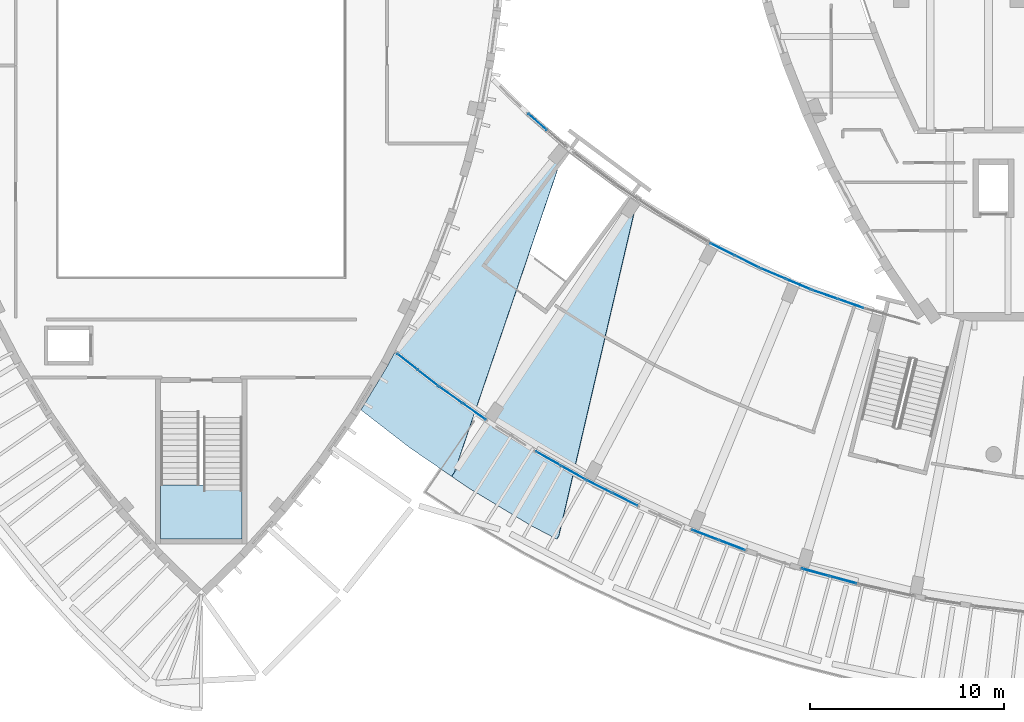
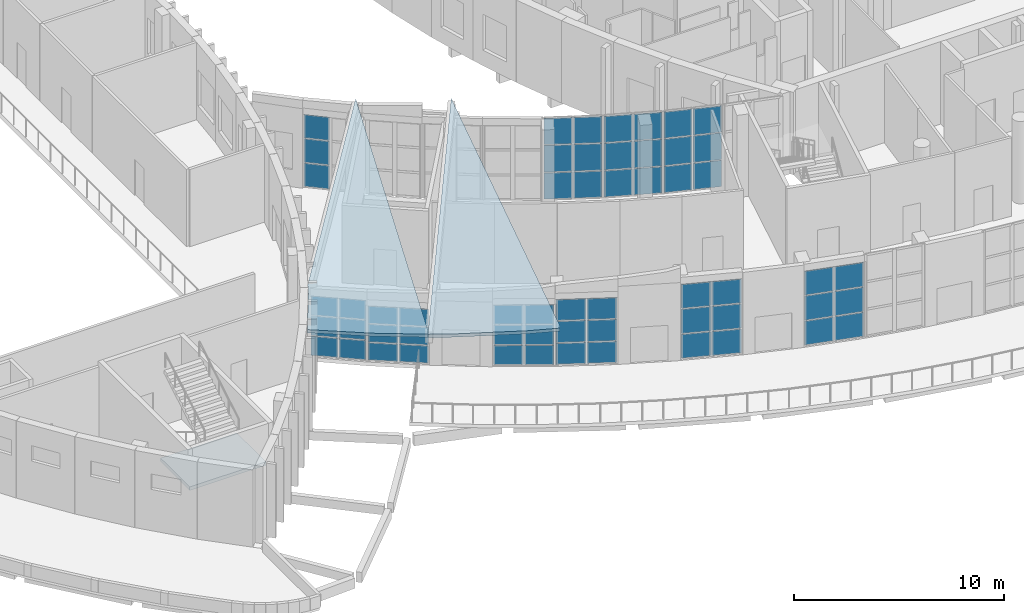
# One storey, part 41 of 93: 57 plates, 3 slabs, 11 elements without a shape of their own.
"""IFC4 building model written with IfcOpenShell, lengths in metres."""

from ifc_helpers import new_model, si_unit, direction, frame, origin, origin_2d, place, context, subcontext, project, spatial, polyline, rectangle, outline, extrude, material, layer, layer_set, type_object, element, aggregate, save


model = new_model("IFC4")

# Units and contexts
model_context = context("Model", 3, precision=1e-05, world=origin(), true_north=direction((0.0, 1.0)))
body_context = subcontext(model_context, "Body", "Model", "MODEL_VIEW")
ifc_project = project(units=[si_unit("LENGTHUNIT", "METRE"), si_unit("AREAUNIT", "SQUARE_METRE"), si_unit("VOLUMEUNIT", "CUBIC_METRE"), si_unit("PLANEANGLEUNIT", "RADIAN"), si_unit("MASSUNIT", "GRAM", prefix="KILO")], contexts=[model_context])

# Site, building, storey
site_placement = place(None, origin())
site = spatial("IfcSite", under=ifc_project, at=site_placement, CompositionType="ELEMENT")
building_placement = place(site_placement, origin())
building = spatial("IfcBuilding", under=site, at=building_placement, Name="Tide Square Theatres", CompositionType="ELEMENT")
storey_placement = place(building_placement, frame((0.0, 0.0, 5.39990234375)))
storey = spatial("IfcBuildingStorey", under=building, at=storey_placement, Name="L01", CompositionType="ELEMENT", Elevation=5.39990234375)

# Curtain wall, plates
ifc_material_1 = material(Name="Aluminium 6063-T5", Category="aluminium")
curtain_wall_type_1 = type_object("IfcCurtainWallType", Name="Unitised system curtain wall 3600 high", PredefinedType="USERDEFINED", material=ifc_material_1)
curtain_wall_1_placement = place(storey_placement, origin())
curtain_wall_1 = element("IfcCurtainWall", 1, at=curtain_wall_1_placement, inside=storey, type_object=curtain_wall_type_1, Name="Foyer outer curtain wall", ObjectType="UNITISED SYSTEM", PredefinedType="USERDEFINED")
ifc_material_2 = material(Name="Double-glazed unit with aluminium frame", Category="aluminium")
ifc_layer_1 = layer(ifc_material_2, 0.030029296875)
ifc_layer_set_1 = layer_set([ifc_layer_1], Name="Double-glazed unit with aluminium frame")
plate_type = type_object("IfcPlateType", Name="Curtain wall panel 30 thick", PredefinedType="CURTAIN_PANEL", material=ifc_layer_set_1)
plate_1_placement = place(storey_placement, frame((46.6005859375, 21.262939453125, 0.050048828125), z_axis=(0.0, 0.0, 1.0), x_axis=(0.786485090221, -0.617609263904, 0.0)))
plate_1 = element("IfcPlate", 2, at=plate_1_placement, type_object=plate_type, Name="CW-05 panel 1.1", PredefinedType="CURTAIN_PANEL", context=body_context, shape_type="SweptSolid", body=[
    extrude(rectangle(XDim=1.298095703125, YDim=0.030029296875, at=origin_2d()), origin(), (0.0, 0.0, 1.0), 1.111328125),
])
plate_2_placement = place(storey_placement, frame((46.6005859375, 21.262939453125, 1.21142578125), z_axis=(0.0, 0.0, 1.0), x_axis=(0.786485090221, -0.617609263904, 0.0)))
plate_2 = element("IfcPlate", 3, at=plate_2_placement, type_object=plate_type, Name="CW-05 panel 1.2", PredefinedType="CURTAIN_PANEL", context=body_context, shape_type="SweptSolid", body=[
    extrude(rectangle(XDim=1.298095703125, YDim=0.030029296875, at=origin_2d()), origin(), (0.0, 0.0, 1.0), 1.136474609375),
])
plate_3_placement = place(storey_placement, frame((46.6005859375, 21.262939453125, 2.39794921875), z_axis=(0.0, 0.0, 1.0), x_axis=(0.786485090221, -0.617609263904, 0.0)))
plate_3 = element("IfcPlate", 4, at=plate_3_placement, type_object=plate_type, Name="CW-05 panel 1.3", PredefinedType="CURTAIN_PANEL", context=body_context, shape_type="SweptSolid", body=[
    extrude(rectangle(XDim=1.298095703125, YDim=0.030029296875, at=origin_2d()), origin(), (0.0, 0.0, 1.0), 1.111328125),
])
plate_4_placement = place(storey_placement, frame((47.660888671875, 20.43017578125, 0.050048828125), z_axis=(0.0, 0.0, 1.0), x_axis=(0.786485090221, -0.617609263904, 0.0)))
plate_4 = element("IfcPlate", 5, at=plate_4_placement, type_object=plate_type, Name="CW-05 panel 2.1", PredefinedType="CURTAIN_PANEL", context=body_context, shape_type="SweptSolid", body=[
    extrude(rectangle(XDim=1.298095703125, YDim=0.030029296875, at=origin_2d()), origin(), (0.0, 0.0, 1.0), 1.111328125),
])
plate_5_placement = place(storey_placement, frame((47.660888671875, 20.43017578125, 1.21142578125), z_axis=(0.0, 0.0, 1.0), x_axis=(0.786485090221, -0.617609263904, 0.0)))
plate_5 = element("IfcPlate", 6, at=plate_5_placement, type_object=plate_type, Name="CW-05 panel 2.2", PredefinedType="CURTAIN_PANEL", context=body_context, shape_type="SweptSolid", body=[
    extrude(rectangle(XDim=1.298095703125, YDim=0.030029296875, at=origin_2d()), origin(), (0.0, 0.0, 1.0), 1.136474609375),
])
plate_6_placement = place(storey_placement, frame((47.660888671875, 20.43017578125, 2.39794921875), z_axis=(0.0, 0.0, 1.0), x_axis=(0.786485090221, -0.617609263904, 0.0)))
plate_6 = element("IfcPlate", 7, at=plate_6_placement, type_object=plate_type, Name="CW-05 panel 2.3", PredefinedType="CURTAIN_PANEL", context=body_context, shape_type="SweptSolid", body=[
    extrude(rectangle(XDim=1.298095703125, YDim=0.030029296875, at=origin_2d()), origin(), (0.0, 0.0, 1.0), 1.111328125),
])
aggregate(curtain_wall_1, [plate_1, plate_2, plate_3, plate_4, plate_5, plate_6])

ifc_material_3 = material(Name="Aluminium 6063-T5", Category="aluminium")
curtain_wall_type_2 = type_object("IfcCurtainWallType", Name="Stick system curtain wall 3000 high", PredefinedType="USERDEFINED", material=ifc_material_3)
curtain_wall_2_placement = place(storey_placement, origin())
curtain_wall_2 = element("IfcCurtainWall", 8, at=curtain_wall_2_placement, inside=storey, type_object=curtain_wall_type_2, Name="Foyer outer curtain wall", ObjectType="STICK SYSTEM", PredefinedType="USERDEFINED")
plate_7_placement = place(storey_placement, frame((48.83251953125, 19.558837890625, 0.050048828125), z_axis=(0.0, 0.0, 1.0), x_axis=(0.816388388415, -0.577503246104, 0.0)))
plate_7 = element("IfcPlate", 9, at=plate_7_placement, type_object=plate_type, Name="CW-10 panel 1.1", PredefinedType="CURTAIN_PANEL", context=body_context, shape_type="SweptSolid", body=[
    extrude(rectangle(XDim=1.423095703125, YDim=0.030029296875, at=origin_2d()), origin(), (0.0, 0.0, 1.0), 1.00341796875),
])
plate_8_placement = place(storey_placement, frame((48.83251953125, 19.558837890625, 1.103271484375), z_axis=(0.0, 0.0, 1.0), x_axis=(0.816388388415, -0.577503246104, 0.0)))
plate_8 = element("IfcPlate", 10, at=plate_8_placement, type_object=plate_type, Name="CW-10 panel 1.2", PredefinedType="CURTAIN_PANEL", context=body_context, shape_type="SweptSolid", body=[
    extrude(rectangle(XDim=1.423095703125, YDim=0.030029296875, at=origin_2d()), origin(), (0.0, 0.0, 1.0), 1.0283203125),
])
plate_9_placement = place(storey_placement, frame((48.83251953125, 19.558837890625, 2.181640625), z_axis=(0.0, 0.0, 1.0), x_axis=(0.816388388415, -0.577503246104, 0.0)))
plate_9 = element("IfcPlate", 11, at=plate_9_placement, type_object=plate_type, Name="CW-10 panel 1.3", PredefinedType="CURTAIN_PANEL", context=body_context, shape_type="SweptSolid", body=[
    extrude(rectangle(XDim=1.423095703125, YDim=0.030029296875, at=origin_2d()), origin(), (0.0, 0.0, 1.0), 1.00341796875),
])
plate_10_placement = place(storey_placement, frame((50.034912109375, 18.7080078125, 0.050048828125), z_axis=(0.0, 0.0, 1.0), x_axis=(0.816388388415, -0.577503246104, 0.0)))
plate_10 = element("IfcPlate", 12, at=plate_10_placement, type_object=plate_type, Name="CW-10 panel 2.1", PredefinedType="CURTAIN_PANEL", context=body_context, shape_type="SweptSolid", body=[
    extrude(rectangle(XDim=1.423095703125, YDim=0.030029296875, at=origin_2d()), origin(), (0.0, 0.0, 1.0), 1.00341796875),
])
plate_11_placement = place(storey_placement, frame((50.034912109375, 18.7080078125, 1.103271484375), z_axis=(0.0, 0.0, 1.0), x_axis=(0.816388388415, -0.577503246104, 0.0)))
plate_11 = element("IfcPlate", 13, at=plate_11_placement, type_object=plate_type, Name="CW-10 panel 2.2", PredefinedType="CURTAIN_PANEL", context=body_context, shape_type="SweptSolid", body=[
    extrude(rectangle(XDim=1.423095703125, YDim=0.030029296875, at=origin_2d()), origin(), (0.0, 0.0, 1.0), 1.0283203125),
])
plate_12_placement = place(storey_placement, frame((50.034912109375, 18.7080078125, 2.181640625), z_axis=(0.0, 0.0, 1.0), x_axis=(0.816388388415, -0.577503246104, 0.0)))
plate_12 = element("IfcPlate", 14, at=plate_12_placement, type_object=plate_type, Name="CW-10 panel 2.3", PredefinedType="CURTAIN_PANEL", context=body_context, shape_type="SweptSolid", body=[
    extrude(rectangle(XDim=1.423095703125, YDim=0.030029296875, at=origin_2d()), origin(), (0.0, 0.0, 1.0), 1.00341796875),
])
aggregate(curtain_wall_2, [plate_7, plate_8, plate_9, plate_10, plate_11, plate_12])

curtain_wall_3_placement = place(storey_placement, origin())
curtain_wall_3 = element("IfcCurtainWall", 15, at=curtain_wall_3_placement, inside=storey, type_object=curtain_wall_type_1, Name="Foyer outer curtain wall", ObjectType="UNITISED SYSTEM", PredefinedType="USERDEFINED")
plate_13_placement = place(storey_placement, frame((53.8486328125, 16.287353515625, 0.050048828125), z_axis=(0.0, 0.0, 1.0), x_axis=(0.870018368037, -0.493019309235, 0.0)))
plate_13 = element("IfcPlate", 16, at=plate_13_placement, type_object=plate_type, Name="CW-05 panel 1.1", PredefinedType="CURTAIN_PANEL", context=body_context, shape_type="SweptSolid", body=[
    extrude(rectangle(XDim=1.423095703125, YDim=0.030029296875, at=origin_2d()), origin(), (0.0, 0.0, 1.0), 1.1142578125),
])
plate_14_placement = place(storey_placement, frame((53.8486328125, 16.287353515625, 1.21435546875), z_axis=(0.0, 0.0, 1.0), x_axis=(0.870018368037, -0.493019309235, 0.0)))
plate_14 = element("IfcPlate", 17, at=plate_14_placement, type_object=plate_type, Name="CW-05 panel 1.2", PredefinedType="CURTAIN_PANEL", context=body_context, shape_type="SweptSolid", body=[
    extrude(rectangle(XDim=1.423095703125, YDim=0.030029296875, at=origin_2d()), origin(), (0.0, 0.0, 1.0), 1.13916015625),
])
plate_15_placement = place(storey_placement, frame((53.8486328125, 16.287353515625, 2.4033203125), z_axis=(0.0, 0.0, 1.0), x_axis=(0.870018368037, -0.493019309235, 0.0)))
plate_15 = element("IfcPlate", 18, at=plate_15_placement, type_object=plate_type, Name="CW-05 panel 1.3", PredefinedType="CURTAIN_PANEL", context=body_context, shape_type="SweptSolid", body=[
    extrude(rectangle(XDim=1.423095703125, YDim=0.030029296875, at=origin_2d()), origin(), (0.0, 0.0, 1.0), 1.1142578125),
])
plate_16_placement = place(storey_placement, frame((55.130126953125, 15.56103515625, 0.050048828125), z_axis=(0.0, 0.0, 1.0), x_axis=(0.870018368037, -0.493019309235, 0.0)))
plate_16 = element("IfcPlate", 19, at=plate_16_placement, type_object=plate_type, Name="CW-05 panel 2.1", PredefinedType="CURTAIN_PANEL", context=body_context, shape_type="SweptSolid", body=[
    extrude(rectangle(XDim=1.423095703125, YDim=0.030029296875, at=origin_2d()), origin(), (0.0, 0.0, 1.0), 1.1142578125),
])
plate_17_placement = place(storey_placement, frame((55.130126953125, 15.56103515625, 1.21435546875), z_axis=(0.0, 0.0, 1.0), x_axis=(0.870018368037, -0.493019309235, 0.0)))
plate_17 = element("IfcPlate", 20, at=plate_17_placement, type_object=plate_type, Name="CW-05 panel 2.2", PredefinedType="CURTAIN_PANEL", context=body_context, shape_type="SweptSolid", body=[
    extrude(rectangle(XDim=1.423095703125, YDim=0.030029296875, at=origin_2d()), origin(), (0.0, 0.0, 1.0), 1.13916015625),
])
plate_18_placement = place(storey_placement, frame((55.130126953125, 15.56103515625, 2.4033203125), z_axis=(0.0, 0.0, 1.0), x_axis=(0.870018368037, -0.493019309235, 0.0)))
plate_18 = element("IfcPlate", 21, at=plate_18_placement, type_object=plate_type, Name="CW-05 panel 2.3", PredefinedType="CURTAIN_PANEL", context=body_context, shape_type="SweptSolid", body=[
    extrude(rectangle(XDim=1.423095703125, YDim=0.030029296875, at=origin_2d()), origin(), (0.0, 0.0, 1.0), 1.1142578125),
])
aggregate(curtain_wall_3, [plate_13, plate_14, plate_15, plate_16, plate_17, plate_18])

curtain_wall_4_placement = place(storey_placement, origin())
curtain_wall_4 = element("IfcCurtainWall", 22, at=curtain_wall_4_placement, inside=storey, type_object=curtain_wall_type_1, Name="Foyer outer curtain wall", ObjectType="UNITISED SYSTEM", PredefinedType="USERDEFINED")
plate_19_placement = place(storey_placement, frame((56.47314453125, 14.84375, 0.05029296875), z_axis=(0.0, 0.0, 1.0), x_axis=(0.893597882501, -0.448868382034, 0.0)))
plate_19 = element("IfcPlate", 23, at=plate_19_placement, type_object=plate_type, Name="CW-05 panel 1.1", PredefinedType="CURTAIN_PANEL", context=body_context, shape_type="SweptSolid", body=[
    extrude(rectangle(XDim=1.423095703125, YDim=0.030029296875, at=origin_2d()), origin(), (0.0, 0.0, 1.0), 1.213623046875),
])
plate_20_placement = place(storey_placement, frame((56.47314453125, 14.84375, 1.31396484375), z_axis=(0.0, 0.0, 1.0), x_axis=(0.893597882501, -0.448868382034, 0.0)))
plate_20 = element("IfcPlate", 24, at=plate_20_placement, type_object=plate_type, Name="CW-05 panel 1.2", PredefinedType="CURTAIN_PANEL", context=body_context, shape_type="SweptSolid", body=[
    extrude(rectangle(XDim=1.423095703125, YDim=0.030029296875, at=origin_2d()), origin(), (0.0, 0.0, 1.0), 1.238525390625),
])
plate_21_placement = place(storey_placement, frame((56.47314453125, 14.84375, 2.60205078125), z_axis=(0.0, 0.0, 1.0), x_axis=(0.893597882501, -0.448868382034, 0.0)))
plate_21 = element("IfcPlate", 25, at=plate_21_placement, type_object=plate_type, Name="CW-05 panel 1.3", PredefinedType="CURTAIN_PANEL", context=body_context, shape_type="SweptSolid", body=[
    extrude(rectangle(XDim=1.423095703125, YDim=0.030029296875, at=origin_2d()), origin(), (0.0, 0.0, 1.0), 1.213623046875),
])
plate_22_placement = place(storey_placement, frame((57.78955078125, 14.1826171875, 0.05029296875), z_axis=(0.0, 0.0, 1.0), x_axis=(0.893597882501, -0.448868382034, 0.0)))
plate_22 = element("IfcPlate", 26, at=plate_22_placement, type_object=plate_type, Name="CW-05 panel 2.1", PredefinedType="CURTAIN_PANEL", context=body_context, shape_type="SweptSolid", body=[
    extrude(rectangle(XDim=1.423095703125, YDim=0.030029296875, at=origin_2d()), origin(), (0.0, 0.0, 1.0), 1.213623046875),
])
plate_23_placement = place(storey_placement, frame((57.78955078125, 14.1826171875, 1.31396484375), z_axis=(0.0, 0.0, 1.0), x_axis=(0.893597882501, -0.448868382034, 0.0)))
plate_23 = element("IfcPlate", 27, at=plate_23_placement, type_object=plate_type, Name="CW-05 panel 2.2", PredefinedType="CURTAIN_PANEL", context=body_context, shape_type="SweptSolid", body=[
    extrude(rectangle(XDim=1.423095703125, YDim=0.030029296875, at=origin_2d()), origin(), (0.0, 0.0, 1.0), 1.238525390625),
])
plate_24_placement = place(storey_placement, frame((57.78955078125, 14.1826171875, 2.60205078125), z_axis=(0.0, 0.0, 1.0), x_axis=(0.893597882501, -0.448868382034, 0.0)))
plate_24 = element("IfcPlate", 28, at=plate_24_placement, type_object=plate_type, Name="CW-05 panel 2.3", PredefinedType="CURTAIN_PANEL", context=body_context, shape_type="SweptSolid", body=[
    extrude(rectangle(XDim=1.423095703125, YDim=0.030029296875, at=origin_2d()), origin(), (0.0, 0.0, 1.0), 1.213623046875),
])
aggregate(curtain_wall_4, [plate_19, plate_20, plate_21, plate_22, plate_23, plate_24])

ifc_material_4 = material(Name="Aluminium 6063-T5", Category="aluminium")
curtain_wall_type_3 = type_object("IfcCurtainWallType", Name="Unitised system curtain wall 4600 high", PredefinedType="USERDEFINED", material=ifc_material_4)
curtain_wall_5_placement = place(storey_placement, origin())
curtain_wall_5 = element("IfcCurtainWall", 29, at=curtain_wall_5_placement, inside=storey, type_object=curtain_wall_type_3, Name="Foyer outer curtain wall", ObjectType="UNITISED SYSTEM", PredefinedType="USERDEFINED")
plate_25_placement = place(storey_placement, frame((61.922119140625, 12.359375, 0.050048828125), z_axis=(0.0, 0.0, 1.0), x_axis=(0.933969610321, -0.357352440873, 0.0)))
plate_25 = element("IfcPlate", 30, at=plate_25_placement, type_object=plate_type, Name="CW-03 panel 1.1", PredefinedType="CURTAIN_PANEL", context=body_context, shape_type="SweptSolid", body=[
    extrude(rectangle(XDim=1.4228515625, YDim=0.030029296875, at=origin_2d()), origin(), (0.0, 0.0, 1.0), 1.3916015625),
])
plate_26_placement = place(storey_placement, frame((61.922119140625, 12.359375, 1.491943359375), z_axis=(0.0, 0.0, 1.0), x_axis=(0.933969610321, -0.357352440873, 0.0)))
plate_26 = element("IfcPlate", 31, at=plate_26_placement, type_object=plate_type, Name="CW-03 panel 1.2", PredefinedType="CURTAIN_PANEL", context=body_context, shape_type="SweptSolid", body=[
    extrude(rectangle(XDim=1.4228515625, YDim=0.030029296875, at=origin_2d()), origin(), (0.0, 0.0, 1.0), 1.41650390625),
])
plate_27_placement = place(storey_placement, frame((61.922119140625, 12.359375, 2.95849609375), z_axis=(0.0, 0.0, 1.0), x_axis=(0.933969610321, -0.357352440873, 0.0)))
plate_27 = element("IfcPlate", 32, at=plate_27_placement, type_object=plate_type, Name="CW-03 panel 1.3", PredefinedType="CURTAIN_PANEL", context=body_context, shape_type="SweptSolid", body=[
    extrude(rectangle(XDim=1.4228515625, YDim=0.030029296875, at=origin_2d()), origin(), (0.0, 0.0, 1.0), 1.3916015625),
])
plate_28_placement = place(storey_placement, frame((63.2978515625, 11.8330078125, 0.050048828125), z_axis=(0.0, 0.0, 1.0), x_axis=(0.933969610321, -0.357352440873, 0.0)))
plate_28 = element("IfcPlate", 33, at=plate_28_placement, type_object=plate_type, Name="CW-03 panel 2.1", PredefinedType="CURTAIN_PANEL", context=body_context, shape_type="SweptSolid", body=[
    extrude(rectangle(XDim=1.4228515625, YDim=0.030029296875, at=origin_2d()), origin(), (0.0, 0.0, 1.0), 1.3916015625),
])
plate_29_placement = place(storey_placement, frame((63.2978515625, 11.8330078125, 1.491943359375), z_axis=(0.0, 0.0, 1.0), x_axis=(0.933969610321, -0.357352440873, 0.0)))
plate_29 = element("IfcPlate", 34, at=plate_29_placement, type_object=plate_type, Name="CW-03 panel 2.2", PredefinedType="CURTAIN_PANEL", context=body_context, shape_type="SweptSolid", body=[
    extrude(rectangle(XDim=1.4228515625, YDim=0.030029296875, at=origin_2d()), origin(), (0.0, 0.0, 1.0), 1.41650390625),
])
plate_30_placement = place(storey_placement, frame((63.2978515625, 11.8330078125, 2.95849609375), z_axis=(0.0, 0.0, 1.0), x_axis=(0.933969610321, -0.357352440873, 0.0)))
plate_30 = element("IfcPlate", 35, at=plate_30_placement, type_object=plate_type, Name="CW-03 panel 2.3", PredefinedType="CURTAIN_PANEL", context=body_context, shape_type="SweptSolid", body=[
    extrude(rectangle(XDim=1.4228515625, YDim=0.030029296875, at=origin_2d()), origin(), (0.0, 0.0, 1.0), 1.3916015625),
])
aggregate(curtain_wall_5, [plate_25, plate_26, plate_27, plate_28, plate_29, plate_30])

curtain_wall_6_placement = place(storey_placement, origin())
curtain_wall_6 = element("IfcCurtainWall", 36, at=curtain_wall_6_placement, inside=storey, type_object=curtain_wall_type_3, Name="Foyer outer curtain wall", ObjectType="UNITISED SYSTEM", PredefinedType="USERDEFINED")
plate_31_placement = place(storey_placement, frame((67.592041015625, 10.431884765625, 0.050048828125), z_axis=(0.0, 0.0, 1.0), x_axis=(0.96500987783, -0.262213530715, 0.0)))
plate_31 = element("IfcPlate", 37, at=plate_31_placement, type_object=plate_type, Name="CW-03 panel 1.1", PredefinedType="CURTAIN_PANEL", context=body_context, shape_type="SweptSolid", body=[
    extrude(rectangle(XDim=1.423095703125, YDim=0.030029296875, at=origin_2d()), origin(), (0.0, 0.0, 1.0), 1.3916015625),
])
plate_32_placement = place(storey_placement, frame((67.592041015625, 10.431884765625, 1.491943359375), z_axis=(0.0, 0.0, 1.0), x_axis=(0.96500987783, -0.262213530715, 0.0)))
plate_32 = element("IfcPlate", 38, at=plate_32_placement, type_object=plate_type, Name="CW-03 panel 1.2", PredefinedType="CURTAIN_PANEL", context=body_context, shape_type="SweptSolid", body=[
    extrude(rectangle(XDim=1.423095703125, YDim=0.030029296875, at=origin_2d()), origin(), (0.0, 0.0, 1.0), 1.41650390625),
])
plate_33_placement = place(storey_placement, frame((67.592041015625, 10.431884765625, 2.95849609375), z_axis=(0.0, 0.0, 1.0), x_axis=(0.96500987783, -0.262213530715, 0.0)))
plate_33 = element("IfcPlate", 39, at=plate_33_placement, type_object=plate_type, Name="CW-03 panel 1.3", PredefinedType="CURTAIN_PANEL", context=body_context, shape_type="SweptSolid", body=[
    extrude(rectangle(XDim=1.423095703125, YDim=0.030029296875, at=origin_2d()), origin(), (0.0, 0.0, 1.0), 1.3916015625),
])
plate_34_placement = place(storey_placement, frame((69.013671875, 10.045654296875, 0.050048828125), z_axis=(0.0, 0.0, 1.0), x_axis=(0.96500987783, -0.262213530715, 0.0)))
plate_34 = element("IfcPlate", 40, at=plate_34_placement, type_object=plate_type, Name="CW-03 panel 2.1", PredefinedType="CURTAIN_PANEL", context=body_context, shape_type="SweptSolid", body=[
    extrude(rectangle(XDim=1.423095703125, YDim=0.030029296875, at=origin_2d()), origin(), (0.0, 0.0, 1.0), 1.3916015625),
])
plate_35_placement = place(storey_placement, frame((69.013671875, 10.045654296875, 1.491943359375), z_axis=(0.0, 0.0, 1.0), x_axis=(0.96500987783, -0.262213530715, 0.0)))
plate_35 = element("IfcPlate", 41, at=plate_35_placement, type_object=plate_type, Name="CW-03 panel 2.2", PredefinedType="CURTAIN_PANEL", context=body_context, shape_type="SweptSolid", body=[
    extrude(rectangle(XDim=1.423095703125, YDim=0.030029296875, at=origin_2d()), origin(), (0.0, 0.0, 1.0), 1.41650390625),
])
plate_36_placement = place(storey_placement, frame((69.013671875, 10.045654296875, 2.95849609375), z_axis=(0.0, 0.0, 1.0), x_axis=(0.96500987783, -0.262213530715, 0.0)))
plate_36 = element("IfcPlate", 42, at=plate_36_placement, type_object=plate_type, Name="CW-03 panel 2.3", PredefinedType="CURTAIN_PANEL", context=body_context, shape_type="SweptSolid", body=[
    extrude(rectangle(XDim=1.423095703125, YDim=0.030029296875, at=origin_2d()), origin(), (0.0, 0.0, 1.0), 1.3916015625),
])
aggregate(curtain_wall_6, [plate_31, plate_32, plate_33, plate_34, plate_35, plate_36])

ifc_material_5 = material(Name="Aluminium 6063-T5", Category="aluminium")
curtain_wall_type_4 = type_object("IfcCurtainWallType", Name="Unitised system curtain wall 4800 high", PredefinedType="USERDEFINED", material=ifc_material_5)
curtain_wall_7_placement = place(storey_placement, origin())
curtain_wall_7 = element("IfcCurtainWall", 43, at=curtain_wall_7_placement, inside=storey, type_object=curtain_wall_type_4, Name="Foyer inner curtain wall", ObjectType="UNITISED SYSTEM", PredefinedType="USERDEFINED")
plate_37_placement = place(storey_placement, frame((69.413330078125, 24.260009765625, 0.050048828125), z_axis=(0.0, 0.0, 1.0), x_axis=(-0.943674173713, 0.330876191147, 0.0)))
plate_37 = element("IfcPlate", 44, at=plate_37_placement, type_object=plate_type, Name="CW-02 panel 1.1", PredefinedType="CURTAIN_PANEL", context=body_context, shape_type="SweptSolid", body=[
    extrude(rectangle(XDim=1.365234375, YDim=0.030029296875, at=origin_2d()), origin(), (0.0, 0.0, 1.0), 1.52490234375),
])
plate_38_placement = place(storey_placement, frame((69.413330078125, 24.260009765625, 1.625), z_axis=(0.0, 0.0, 1.0), x_axis=(-0.943674173713, 0.330876191147, 0.0)))
plate_38 = element("IfcPlate", 45, at=plate_38_placement, type_object=plate_type, Name="CW-02 panel 1.2", PredefinedType="CURTAIN_PANEL", context=body_context, shape_type="SweptSolid", body=[
    extrude(rectangle(XDim=1.365234375, YDim=0.030029296875, at=origin_2d()), origin(), (0.0, 0.0, 1.0), 1.550048828125),
])
plate_39_placement = place(storey_placement, frame((69.413330078125, 24.260009765625, 3.22509765625), z_axis=(0.0, 0.0, 1.0), x_axis=(-0.943674173713, 0.330876191147, 0.0)))
plate_39 = element("IfcPlate", 46, at=plate_39_placement, type_object=plate_type, Name="CW-02 panel 1.3", PredefinedType="CURTAIN_PANEL", context=body_context, shape_type="SweptSolid", body=[
    extrude(rectangle(XDim=1.365234375, YDim=0.030029296875, at=origin_2d()), origin(), (0.0, 0.0, 1.0), 1.52490234375),
])
plate_40_placement = place(storey_placement, frame((68.077880859375, 24.728271484375, 0.050048828125), z_axis=(0.0, 0.0, 1.0), x_axis=(-0.943674173713, 0.330876191147, 0.0)))
plate_40 = element("IfcPlate", 47, at=plate_40_placement, type_object=plate_type, Name="CW-02 panel 2.1", PredefinedType="CURTAIN_PANEL", context=body_context, shape_type="SweptSolid", body=[
    extrude(rectangle(XDim=1.365234375, YDim=0.030029296875, at=origin_2d()), origin(), (0.0, 0.0, 1.0), 1.52490234375),
])
plate_41_placement = place(storey_placement, frame((68.077880859375, 24.728271484375, 1.625), z_axis=(0.0, 0.0, 1.0), x_axis=(-0.943674173713, 0.330876191147, 0.0)))
plate_41 = element("IfcPlate", 48, at=plate_41_placement, type_object=plate_type, Name="CW-02 panel 2.2", PredefinedType="CURTAIN_PANEL", context=body_context, shape_type="SweptSolid", body=[
    extrude(rectangle(XDim=1.365234375, YDim=0.030029296875, at=origin_2d()), origin(), (0.0, 0.0, 1.0), 1.550048828125),
])
plate_42_placement = place(storey_placement, frame((68.077880859375, 24.728271484375, 3.22509765625), z_axis=(0.0, 0.0, 1.0), x_axis=(-0.943674173713, 0.330876191147, 0.0)))
plate_42 = element("IfcPlate", 49, at=plate_42_placement, type_object=plate_type, Name="CW-02 panel 2.3", PredefinedType="CURTAIN_PANEL", context=body_context, shape_type="SweptSolid", body=[
    extrude(rectangle(XDim=1.365234375, YDim=0.030029296875, at=origin_2d()), origin(), (0.0, 0.0, 1.0), 1.52490234375),
])
aggregate(curtain_wall_7, [plate_37, plate_38, plate_39, plate_40, plate_41, plate_42])

curtain_wall_8_placement = place(storey_placement, origin())
curtain_wall_8 = element("IfcCurtainWall", 50, at=curtain_wall_8_placement, inside=storey, type_object=curtain_wall_type_4, Name="Foyer inner curtain wall", ObjectType="UNITISED SYSTEM", PredefinedType="USERDEFINED")
plate_43_placement = place(storey_placement, frame((66.7119140625, 25.255859375, 0.050048828125), z_axis=(0.0, 0.0, 1.0), x_axis=(-0.92117987465, 0.389137043393, 0.0)))
plate_43 = element("IfcPlate", 51, at=plate_43_placement, type_object=plate_type, Name="CW-02 panel 1.1", PredefinedType="CURTAIN_PANEL", context=body_context, shape_type="SweptSolid", body=[
    extrude(rectangle(XDim=1.364990234375, YDim=0.030029296875, at=origin_2d()), origin(), (0.0, 0.0, 1.0), 1.52490234375),
])
plate_44_placement = place(storey_placement, frame((66.7119140625, 25.255859375, 1.625), z_axis=(0.0, 0.0, 1.0), x_axis=(-0.92117987465, 0.389137043393, 0.0)))
plate_44 = element("IfcPlate", 52, at=plate_44_placement, type_object=plate_type, Name="CW-02 panel 1.2", PredefinedType="CURTAIN_PANEL", context=body_context, shape_type="SweptSolid", body=[
    extrude(rectangle(XDim=1.364990234375, YDim=0.030029296875, at=origin_2d()), origin(), (0.0, 0.0, 1.0), 1.550048828125),
])
plate_45_placement = place(storey_placement, frame((66.7119140625, 25.255859375, 3.22509765625), z_axis=(0.0, 0.0, 1.0), x_axis=(-0.92117987465, 0.389137043393, 0.0)))
plate_45 = element("IfcPlate", 53, at=plate_45_placement, type_object=plate_type, Name="CW-02 panel 1.3", PredefinedType="CURTAIN_PANEL", context=body_context, shape_type="SweptSolid", body=[
    extrude(rectangle(XDim=1.364990234375, YDim=0.030029296875, at=origin_2d()), origin(), (0.0, 0.0, 1.0), 1.52490234375),
])
plate_46_placement = place(storey_placement, frame((65.408203125, 25.806396484375, 0.050048828125), z_axis=(0.0, 0.0, 1.0), x_axis=(-0.92117987465, 0.389137043393, 0.0)))
plate_46 = element("IfcPlate", 54, at=plate_46_placement, type_object=plate_type, Name="CW-02 panel 2.1", PredefinedType="CURTAIN_PANEL", context=body_context, shape_type="SweptSolid", body=[
    extrude(rectangle(XDim=1.364990234375, YDim=0.030029296875, at=origin_2d()), origin(), (0.0, 0.0, 1.0), 1.52490234375),
])
plate_47_placement = place(storey_placement, frame((65.408203125, 25.806396484375, 1.625), z_axis=(0.0, 0.0, 1.0), x_axis=(-0.92117987465, 0.389137043393, 0.0)))
plate_47 = element("IfcPlate", 55, at=plate_47_placement, type_object=plate_type, Name="CW-02 panel 2.2", PredefinedType="CURTAIN_PANEL", context=body_context, shape_type="SweptSolid", body=[
    extrude(rectangle(XDim=1.364990234375, YDim=0.030029296875, at=origin_2d()), origin(), (0.0, 0.0, 1.0), 1.550048828125),
])
plate_48_placement = place(storey_placement, frame((65.408203125, 25.806396484375, 3.22509765625), z_axis=(0.0, 0.0, 1.0), x_axis=(-0.92117987465, 0.389137043393, 0.0)))
plate_48 = element("IfcPlate", 56, at=plate_48_placement, type_object=plate_type, Name="CW-02 panel 2.3", PredefinedType="CURTAIN_PANEL", context=body_context, shape_type="SweptSolid", body=[
    extrude(rectangle(XDim=1.364990234375, YDim=0.030029296875, at=origin_2d()), origin(), (0.0, 0.0, 1.0), 1.52490234375),
])
aggregate(curtain_wall_8, [plate_43, plate_44, plate_45, plate_46, plate_47, plate_48])

curtain_wall_9_placement = place(storey_placement, origin())
curtain_wall_9 = element("IfcCurtainWall", 57, at=curtain_wall_9_placement, inside=storey, type_object=curtain_wall_type_4, Name="Foyer inner curtain wall", ObjectType="UNITISED SYSTEM", PredefinedType="USERDEFINED")
plate_49_placement = place(storey_placement, frame((64.077880859375, 26.418212890625, 0.050048828125), z_axis=(0.0, 0.0, 1.0), x_axis=(-0.895099732061, 0.445865977245, 0.0)))
plate_49 = element("IfcPlate", 58, at=plate_49_placement, type_object=plate_type, Name="CW-02 panel 1.1", PredefinedType="CURTAIN_PANEL", context=body_context, shape_type="SweptSolid", body=[
    extrude(rectangle(XDim=1.365234375, YDim=0.030029296875, at=origin_2d()), origin(), (0.0, 0.0, 1.0), 1.52490234375),
])
plate_50_placement = place(storey_placement, frame((64.077880859375, 26.418212890625, 1.625), z_axis=(0.0, 0.0, 1.0), x_axis=(-0.895099732061, 0.445865977245, 0.0)))
plate_50 = element("IfcPlate", 59, at=plate_50_placement, type_object=plate_type, Name="CW-02 panel 1.2", PredefinedType="CURTAIN_PANEL", context=body_context, shape_type="SweptSolid", body=[
    extrude(rectangle(XDim=1.365234375, YDim=0.030029296875, at=origin_2d()), origin(), (0.0, 0.0, 1.0), 1.550048828125),
])
plate_51_placement = place(storey_placement, frame((64.077880859375, 26.418212890625, 3.22509765625), z_axis=(0.0, 0.0, 1.0), x_axis=(-0.895099732061, 0.445865977245, 0.0)))
plate_51 = element("IfcPlate", 60, at=plate_51_placement, type_object=plate_type, Name="CW-02 panel 1.3", PredefinedType="CURTAIN_PANEL", context=body_context, shape_type="SweptSolid", body=[
    extrude(rectangle(XDim=1.365234375, YDim=0.030029296875, at=origin_2d()), origin(), (0.0, 0.0, 1.0), 1.52490234375),
])
plate_52_placement = place(storey_placement, frame((62.81103515625, 27.049072265625, 0.050048828125), z_axis=(0.0, 0.0, 1.0), x_axis=(-0.895099732061, 0.445865977245, 0.0)))
plate_52 = element("IfcPlate", 61, at=plate_52_placement, type_object=plate_type, Name="CW-02 panel 2.1", PredefinedType="CURTAIN_PANEL", context=body_context, shape_type="SweptSolid", body=[
    extrude(rectangle(XDim=1.365234375, YDim=0.030029296875, at=origin_2d()), origin(), (0.0, 0.0, 1.0), 1.52490234375),
])
plate_53_placement = place(storey_placement, frame((62.81103515625, 27.049072265625, 1.625), z_axis=(0.0, 0.0, 1.0), x_axis=(-0.895099732061, 0.445865977245, 0.0)))
plate_53 = element("IfcPlate", 62, at=plate_53_placement, type_object=plate_type, Name="CW-02 panel 2.2", PredefinedType="CURTAIN_PANEL", context=body_context, shape_type="SweptSolid", body=[
    extrude(rectangle(XDim=1.365234375, YDim=0.030029296875, at=origin_2d()), origin(), (0.0, 0.0, 1.0), 1.550048828125),
])
plate_54_placement = place(storey_placement, frame((62.81103515625, 27.049072265625, 3.22509765625), z_axis=(0.0, 0.0, 1.0), x_axis=(-0.895099732061, 0.445865977245, 0.0)))
plate_54 = element("IfcPlate", 63, at=plate_54_placement, type_object=plate_type, Name="CW-02 panel 2.3", PredefinedType="CURTAIN_PANEL", context=body_context, shape_type="SweptSolid", body=[
    extrude(rectangle(XDim=1.365234375, YDim=0.030029296875, at=origin_2d()), origin(), (0.0, 0.0, 1.0), 1.52490234375),
])
aggregate(curtain_wall_9, [plate_49, plate_50, plate_51, plate_52, plate_53, plate_54])

curtain_wall_10_placement = place(storey_placement, origin())
curtain_wall_10 = element("IfcCurtainWall", 64, at=curtain_wall_10_placement, inside=storey, type_object=curtain_wall_type_3, Name="Foyer inner curtain wall", ObjectType="UNITISED SYSTEM", PredefinedType="USERDEFINED")
plate_55_placement = place(storey_placement, frame((53.294677734375, 33.60205078125, 0.050048828125), z_axis=(0.0, 0.0, 1.0), x_axis=(-0.757087752153, 0.653313198658, 0.0)))
plate_55 = element("IfcPlate", 65, at=plate_55_placement, type_object=plate_type, Name="CW-03 panel 2.1", PredefinedType="CURTAIN_PANEL", context=body_context, shape_type="SweptSolid", body=[
    extrude(rectangle(XDim=1.232666015625, YDim=0.030029296875, at=origin_2d()), origin(), (0.0, 0.0, 1.0), 1.35205078125),
])
plate_56_placement = place(storey_placement, frame((53.294677734375, 33.60205078125, 1.4521484375), z_axis=(0.0, 0.0, 1.0), x_axis=(-0.757087752153, 0.653313198658, 0.0)))
plate_56 = element("IfcPlate", 66, at=plate_56_placement, type_object=plate_type, Name="CW-03 panel 2.2", PredefinedType="CURTAIN_PANEL", context=body_context, shape_type="SweptSolid", body=[
    extrude(rectangle(XDim=1.232666015625, YDim=0.030029296875, at=origin_2d()), origin(), (0.0, 0.0, 1.0), 1.377197265625),
])
plate_57_placement = place(storey_placement, frame((53.294677734375, 33.60205078125, 2.87939453125), z_axis=(0.0, 0.0, 1.0), x_axis=(-0.757087752153, 0.653313198658, 0.0)))
plate_57 = element("IfcPlate", 67, at=plate_57_placement, type_object=plate_type, Name="CW-03 panel 2.3", PredefinedType="CURTAIN_PANEL", context=body_context, shape_type="SweptSolid", body=[
    extrude(rectangle(XDim=1.232666015625, YDim=0.030029296875, at=origin_2d()), origin(), (0.0, 0.0, 1.0), 1.35205078125),
])
aggregate(curtain_wall_10, [plate_55, plate_56, plate_57])

# Stair, slab
ifc_material_6 = material(Name="Concrete C35", Category="concrete")
stair_type = type_object("IfcStairType", Name="Stair half turn 2000 wide, 28 risers, rise 4800", PredefinedType="HALF_TURN_STAIR", material=ifc_material_6)
stair_placement = place(storey_placement, origin())
stair = element("IfcStair", 68, at=stair_placement, inside=storey, type_object=stair_type, Name="Studio Theatre Stair S2", PredefinedType="HALF_TURN_STAIR")
ifc_material_7 = material(Name="Concrete C35", Category="concrete")
ifc_layer_2 = layer(ifc_material_7, 0.199951171875)
ifc_layer_set_2 = layer_set([ifc_layer_2], Name="Concrete C35")
slab_type_1 = type_object("IfcSlabType", Name="RC landing slab 200", PredefinedType="LANDING", material=ifc_layer_set_2)
slab_1_placement = place(storey_placement, frame((0.0, 0.0, 2.2001953125)))
slab_1 = element("IfcSlab", 69, at=slab_1_placement, type_object=slab_type_1, Name="ST-2000-4800 landing 1", PredefinedType="LANDING", context=body_context, shape_type="SweptSolid", body=[
    extrude(outline(polyline([(33.89990234375, 14.929931640625), (33.89990234375, 12.14990234375), (38.10009765625, 12.14990234375), (38.10009765625, 14.929931640625), (33.89990234375, 14.929931640625)])), origin(), (0.0, 0.0, 1.0), 0.199951171875),
])
aggregate(stair, [slab_1])

# Slabs
ifc_material_8 = material(Name="Concrete C40", Category="concrete")
ifc_layer_3 = layer(ifc_material_8, 0.199951171875)
ifc_layer_set_3 = layer_set([ifc_layer_3], Name="Concrete C40")
slab_type_2 = type_object("IfcSlabType", Name="RC roof slab 200", PredefinedType="ROOF", material=ifc_layer_set_3)
slab_2_placement = place(storey_placement, frame((49.010986328125, 15.5712890625, 4.132568359375), z_axis=(-0.074079967742, -0.050092713605, 0.995993412841), x_axis=(0.321958244321, 0.944055640298, 0.071427144249)))
element("IfcSlab", 70, at=slab_2_placement, inside=storey, type_object=slab_type_2, Name="Foyer roof plate foyer-S0a", PredefinedType="ROOF", context=body_context, shape_type="SweptSolid", body=[
    extrude(outline(polyline([(0.0, 0.0), (17.881477399032878, 1.096345236817342e-15), (4.745890881283829, 4.924866543163446), (4.117376814988887, 5.018790005695332), (1.4749340203904586, 5.588711567723561), (0.4602186182635796, 2.6000625335585243), (-0.2390877038054074, 0.0632984487347531), (0.0, 0.0)])), origin(), (0.0, 0.0, -1.0), 0.199951171875),
])
slab_3_placement = place(storey_placement, frame((54.291259765625, 12.134521484375, 4.529296875), z_axis=(-0.106001340323, -0.048000915799, 0.993206739774), x_axis=(0.466836928941, 0.879510362657, 0.092329863834)))
element("IfcSlab", 71, at=slab_3_placement, inside=storey, type_object=slab_type_2, Name="Foyer roof plate foyer-S1a", PredefinedType="ROOF", context=body_context, shape_type="SweptSolid", body=[
    extrude(outline(polyline([(0.0, 0.0), (0.21236326649251175, 2.6020852139652106e-18), (17.487062297739918, 4.577686140974328), (0.2738323494042025, 6.3093887166420695), (0.16251546623867594, 5.267762346991678), (-0.015741150262273025, 1.5819148299504677), (0.0, 0.0)])), origin(), (0.0, 0.0, -1.0), 0.199951171875),
])

save(model, "model.ifc")
